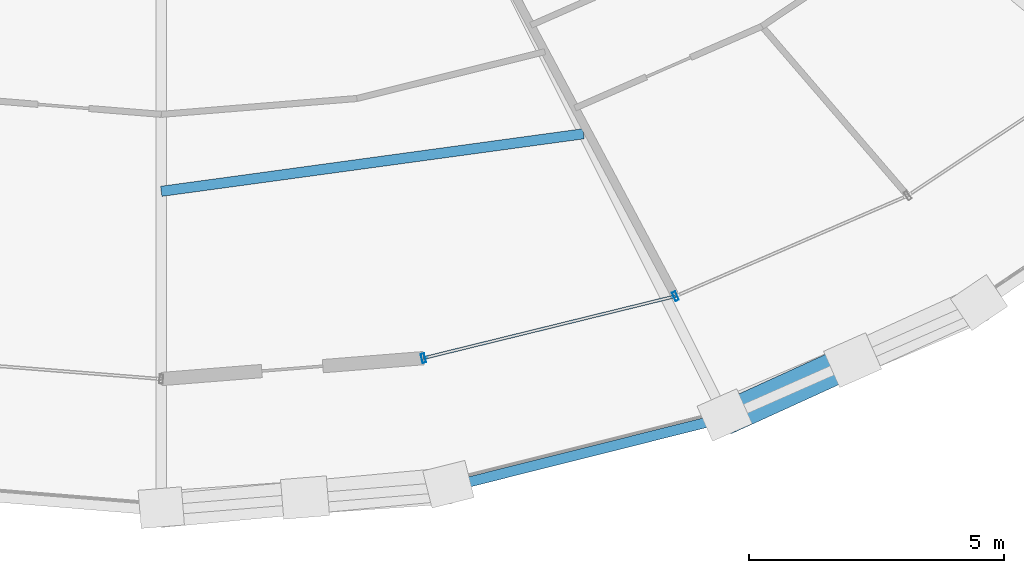
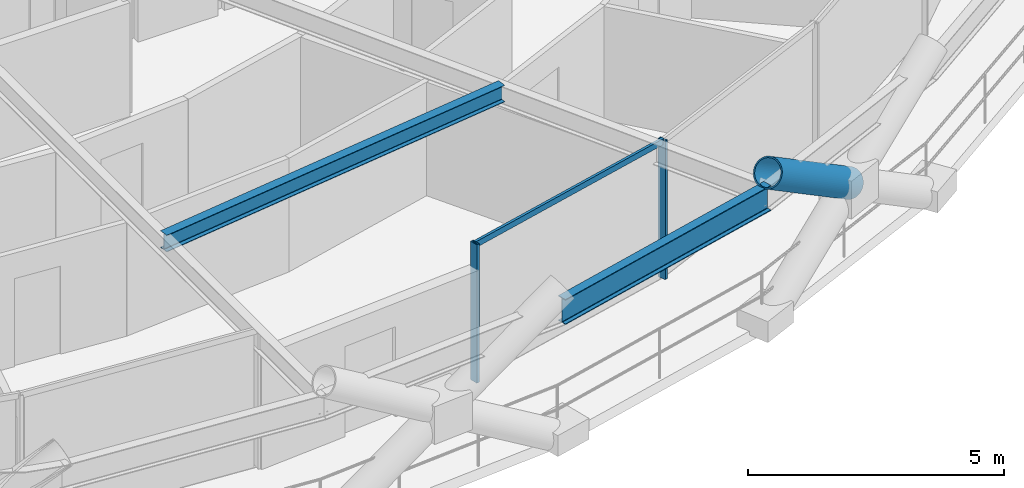
# One storey, part 7 of 21: 4 members, 2 beams, 1 element without a shape of its own.
"""IFC4 building model written with IfcOpenShell, lengths in metres."""

from ifc_helpers import new_model, si_unit, direction, frame, origin, origin_2d, place, context, subcontext, project, spatial, hollow_rectangle, hollow_circle, i_section, extrude, material, layer, layer_set, material_profile, profile_set, type_object, element, aggregate, save


model = new_model("IFC4")

# Units and contexts
model_context = context("Model", 3, precision=1e-05, world=origin(), true_north=direction((0.0, 1.0)))
body_context = subcontext(model_context, "Body", "Model", "MODEL_VIEW")
ifc_project = project(units=[si_unit("LENGTHUNIT", "METRE"), si_unit("AREAUNIT", "SQUARE_METRE"), si_unit("VOLUMEUNIT", "CUBIC_METRE"), si_unit("PLANEANGLEUNIT", "RADIAN"), si_unit("MASSUNIT", "GRAM", prefix="KILO")], contexts=[model_context])

# Site, building, storey
site_placement = place(None, origin())
site = spatial("IfcSite", under=ifc_project, at=site_placement, CompositionType="ELEMENT")
building_placement = place(site_placement, origin())
building = spatial("IfcBuilding", under=site, at=building_placement, Name="Veldorina Hangang Commons", CompositionType="ELEMENT")
storey_placement = place(building_placement, frame((0.0, 0.0, 66.39990234375)))
storey = spatial("IfcBuildingStorey", under=building, at=storey_placement, Name="L16", CompositionType="ELEMENT", Elevation=66.39990234375)

# Beams
ifc_material_1 = material(Name="Steel SM355-TMC", Category="steel")
ifc_material_profile_1 = material_profile(ifc_material_1, i_section(OverallWidth=0.199951171875, OverallDepth=0.39990234375, WebThickness=0.008056640625, FlangeThickness=0.012939453125, FilletRadius=0.012939453125, at=origin_2d()), Name="H-400x200x8x13")
ifc_profile_set_1 = profile_set([ifc_material_profile_1], Name="Steel SM355-TMC")
beam_type_1 = type_object("IfcBeamType", Name="BM-JST400", PredefinedType="JOIST", material=ifc_profile_set_1)
beam_1_placement = place(storey_placement, frame((32.0, 6.347412109375, 3.14013671875), z_axis=(0.990836392252, 0.135067552689, 0.0), x_axis=(-0.135067552689, 0.990836392252, 0.0)))
element("IfcBeam", 1, at=beam_1_placement, inside=storey, type_object=beam_type_1, Name="L16 secondary floor joist 13", PredefinedType="JOIST", context=body_context, shape_type="SweptSolid", body=[
    extrude(i_section(OverallWidth=0.199951171875, OverallDepth=0.39990234375, WebThickness=0.008056640625, FlangeThickness=0.012939453125, FilletRadius=0.012939453125, at=origin_2d()), origin(), (0.0, 0.0, 1.0), 8.352783203125),
])
ifc_material_2 = material(Name="Steel SM420-TMC", Category="steel")
ifc_material_profile_2 = material_profile(ifc_material_2, i_section(OverallWidth=0.199951171875, OverallDepth=0.60009765625, WebThickness=0.010986328125, FlangeThickness=0.01708984375, FilletRadius=0.01806640625, at=origin_2d()), Name="H-600x200x11x17")
ifc_profile_set_2 = profile_set([ifc_material_profile_2], Name="Steel SM420-TMC")
beam_type_2 = type_object("IfcBeamType", Name="BM-RB600", PredefinedType="BEAM", material=ifc_profile_set_2)
beam_2_placement = place(storey_placement, frame((37.63916015625, 0.553466796875, 3.0400390625), z_axis=(0.969944380148, 0.243326733879, 0.0), x_axis=(-0.243326733879, 0.969944380148, 0.0)))
element("IfcBeam", 2, at=beam_2_placement, inside=storey, type_object=beam_type_2, Name="L16 perimeter hoop ring beam 25", PredefinedType="BEAM", context=body_context, shape_type="SweptSolid", body=[
    extrude(i_section(OverallWidth=0.199951171875, OverallDepth=0.60009765625, WebThickness=0.010986328125, FlangeThickness=0.01708984375, FilletRadius=0.01806640625, at=origin_2d()), origin(), (0.0, 0.0, 1.0), 5.590576171875),
])

# Curtain wall, members
ifc_material_3 = material(Name="Glass Low-E Triple IGU", Category="glass")
ifc_layer = layer(ifc_material_3, 0.179931640625)
ifc_layer_set = layer_set([ifc_layer], Name="Glass Low-E Triple IGU")
curtain_wall_type = type_object("IfcCurtainWallType", Name="CW-SYS-Z1", PredefinedType="NOTDEFINED", material=ifc_layer_set)
curtain_wall_placement = place(storey_placement, origin())
curtain_wall = element("IfcCurtainWall", 3, at=curtain_wall_placement, inside=storey, type_object=curtain_wall_type, Name="L16 unitised curtain wall CW-L16-R2", PredefinedType="NOTDEFINED")
ifc_material_4 = material(Name="Aluminium Anodized AA6063-T6", Category="aluminium")
ifc_material_profile_3 = material_profile(ifc_material_4, hollow_rectangle(XDim=0.070068359375, YDim=0.179931640625, WallThickness=0.00390625, at=origin_2d()), Name="ALU-RHS-180x70x4")
ifc_profile_set_3 = profile_set([ifc_material_profile_3], Name="Aluminium Anodized AA6063-T6")
member_type_1 = type_object("IfcMemberType", Name="CW-MUL-180", PredefinedType="MULLION", material=ifc_profile_set_3)
member_1_placement = place(storey_placement, frame((37.136962890625, 3.078369140625, 0.0), z_axis=(0.0, 0.0, 1.0), x_axis=(0.971105130303, 0.238652102233, 0.0)))
member_1 = element("IfcMember", 4, at=member_1_placement, type_object=member_type_1, Name="CW-L16-R2 vertical mullion 1", PredefinedType="MULLION", context=body_context, shape_type="SweptSolid", body=[
    extrude(hollow_rectangle(XDim=0.070068359375, YDim=0.179931640625, WallThickness=0.00390625, at=origin_2d()), origin(), (0.0, 0.0, 1.0), 3.300048828125),
])
member_2_placement = place(storey_placement, frame((42.07666015625, 4.292236328125, 0.0), z_axis=(0.0, 0.0, 1.0), x_axis=(0.917664492064, 0.39735611233, 0.0)))
member_2 = element("IfcMember", 5, at=member_2_placement, type_object=member_type_1, Name="CW-L16-R2 vertical mullion 2", PredefinedType="MULLION", context=body_context, shape_type="SweptSolid", body=[
    extrude(hollow_rectangle(XDim=0.070068359375, YDim=0.179931640625, WallThickness=0.00390625, at=origin_2d()), origin(), (0.0, 0.0, 1.0), 3.300048828125),
])
ifc_material_profile_4 = material_profile(ifc_material_4, hollow_rectangle(XDim=0.06005859375, YDim=0.139892578125, WallThickness=0.00341796875, at=origin_2d()), Name="ALU-RHS-140x60x3.5")
ifc_profile_set_4 = profile_set([ifc_material_profile_4], Name="Aluminium Anodized AA6063-T6")
member_type_2 = type_object("IfcMemberType", Name="CW-TRN-140", PredefinedType="USERDEFINED", material=ifc_profile_set_4)
member_3_placement = place(storey_placement, frame((37.136962890625, 3.078369140625, 3.260009765625), z_axis=(0.971108718592, 0.238637500561, 0.0), x_axis=(-0.238637500561, 0.971108718592, 0.0)))
member_3 = element("IfcMember", 6, at=member_3_placement, type_object=member_type_2, Name="CW-L16-R2 facet 1 transom 1", ObjectType="TRANSOM", PredefinedType="USERDEFINED", context=body_context, shape_type="SweptSolid", body=[
    extrude(hollow_rectangle(XDim=0.06005859375, YDim=0.139892578125, WallThickness=0.00341796875, at=origin_2d()), origin(), (0.0, 0.0, 1.0), 5.086669921875),
])
aggregate(curtain_wall, [member_1, member_2, member_3])

# Member
ifc_material_5 = material(Name="Steel SM460-TMC", Category="steel")
ifc_material_profile_5 = material_profile(ifc_material_5, hollow_circle(Radius=0.324951171875, WallThickness=0.031982421875, at=origin_2d()), Name="CHS-650x32")
ifc_profile_set_5 = profile_set([ifc_material_profile_5], Name="Steel SM460-TMC")
member_type_3 = type_object("IfcMemberType", Name="DG-CHS650", PredefinedType="BRACE", material=ifc_profile_set_5)
member_4_placement = place(storey_placement, frame((45.550048828125, 3.0380859375, 1.798095703125), z_axis=(-0.759364288339, -0.346400258104, 0.55079282746), x_axis=(0.415028550961, -0.909808387457, 0.0)))
element("IfcMember", 7, at=member_4_placement, inside=storey, type_object=member_type_3, Name="L16 split perimeter diagrid upper brace 27", PredefinedType="BRACE", context=body_context, shape_type="SweptSolid", body=[
    extrude(hollow_circle(Radius=0.324951171875, WallThickness=0.031982421875, at=origin_2d()), origin(), (0.0, 0.0, 1.0), 3.271728515625),
])

save(model, "model.ifc")
